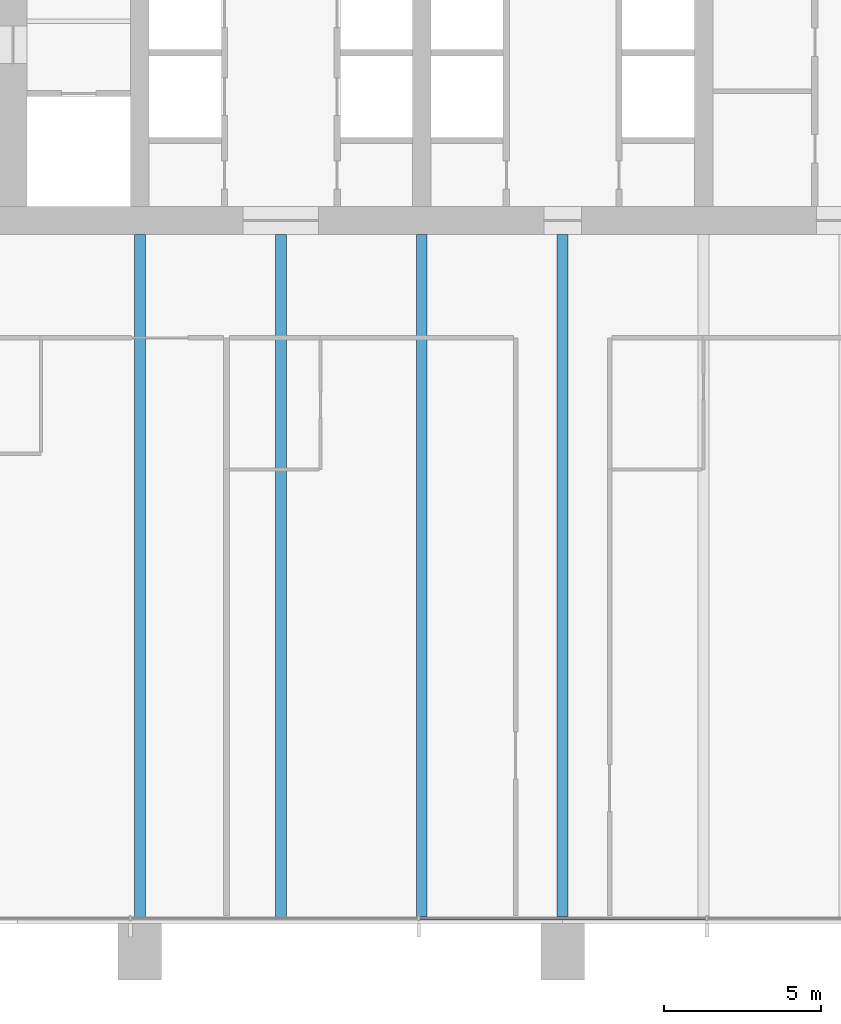
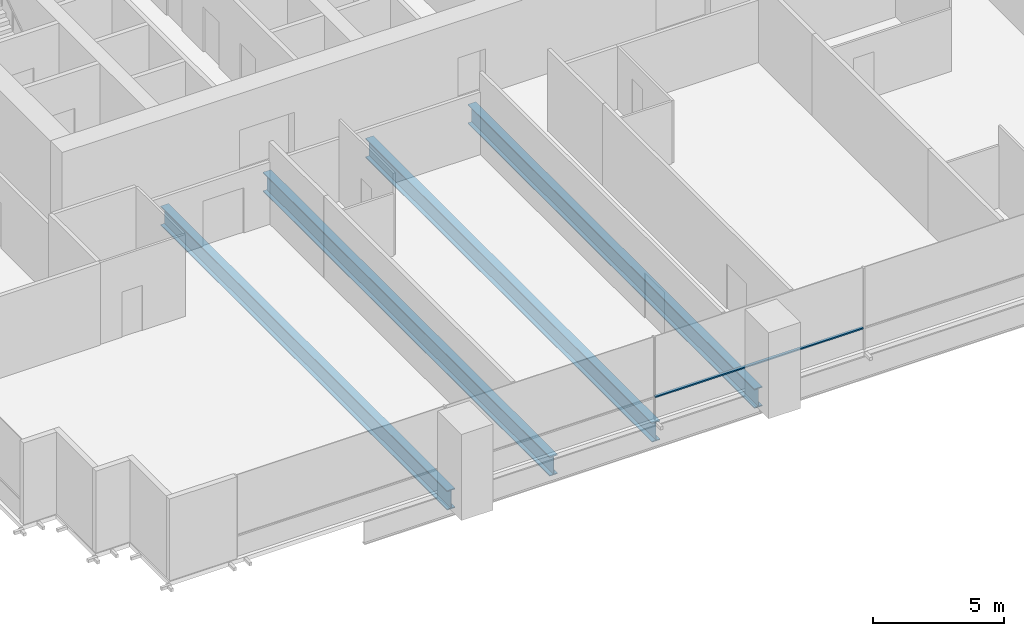
# One storey, part 3 of 14: 4 beams, 1 member, 1 element without a shape of its own.
"""IFC4 building model written with IfcOpenShell, lengths in metres."""

import ifcopenshell
import ifcopenshell.guid

model = None  # the IFC model being written
_history = None  # IfcOwnerHistory: only IFC2X3 demands one
_inside = {}  # id of a spatial element -> (the spatial element, [elements in it])
_under = {}  # id of a project, library or spatial element -> (it, [spatial elements below it])
_declared = {}  # id of a project -> (the project, [libraries it declares])
_typed = {}  # id of a type object -> (the type object, [elements of that type])
_made_of = {}  # id of a material, layer set ... -> (it, [elements and type objects made of it])


def new_model(schema):
    """Start an empty IFC model of exactly this schema.

    Asked for "IFC4X3", IfcOpenShell would pick the latest addendum, in which some entities
    have other attributes; the version numbers below select the first issue.
    IFC2X3 requires an IfcOwnerHistory on every rooted entity: one is made here for all.
    """
    global model, _history
    if schema == "IFC4X3":
        model = ifcopenshell.file(schema_version=(4, 3, 0, 0))
    else:
        model = ifcopenshell.file(schema=schema)
    _inside.clear()
    _under.clear()
    _declared.clear()
    _typed.clear()
    _made_of.clear()
    _history = None
    if model.schema == "IFC2X3":
        org = make("IfcOrganization", Name="unknown")
        user = make(
            "IfcPersonAndOrganization",
            ThePerson=make("IfcPerson", FamilyName="unknown"),
            TheOrganization=org,
        )
        app = make(
            "IfcApplication",
            ApplicationDeveloper=org,
            Version="unknown",
            ApplicationFullName="unknown",
            ApplicationIdentifier="unknown",
        )
        _history = make(
            "IfcOwnerHistory",
            OwningUser=user,
            OwningApplication=app,
            ChangeAction="ADDED",
            CreationDate=0,
        )
    return model


def make(cls, **values):
    """One entity of the class cls with the attributes given. An attribute that is None is left unset."""
    return model.create_entity(
        cls, **{name: value for name, value in values.items() if value is not None}
    )


def rooted(cls, **values):
    """An entity with a GlobalId (a new one), such as an element, a storey or a relation."""
    return make(cls, GlobalId=ifcopenshell.guid.new(), OwnerHistory=_history, **values)


def si_unit(unit_type, name, prefix=None):
    """IfcSIUnit, for example si_unit("LENGTHUNIT", "METRE", prefix="MILLI")."""
    return make("IfcSIUnit", UnitType=unit_type, Prefix=prefix, Name=name)


def assignment(units):
    """IfcUnitAssignment: the units of a project."""
    return None if units is None else make("IfcUnitAssignment", Units=units)


def point(xyz):
    """IfcCartesianPoint."""
    return None if xyz is None else make("IfcCartesianPoint", Coordinates=xyz)


def direction(xyz):
    """IfcDirection."""
    return None if xyz is None else make("IfcDirection", DirectionRatios=xyz)


def frame(location, z_axis=None, x_axis=None):
    """IfcAxis2Placement3D, a coordinate frame: its origin and axes. An axis left out is left unset."""
    return make(
        "IfcAxis2Placement3D",
        Location=point(location),
        Axis=direction(z_axis),
        RefDirection=direction(x_axis),
    )


def frame_2d(location, x_axis=None):
    """IfcAxis2Placement2D, a coordinate frame in the plane: its origin and x axis."""
    return make(
        "IfcAxis2Placement2D", Location=point(location), RefDirection=direction(x_axis)
    )


def origin():
    """The frame at (0, 0, 0) with its axes left unset."""
    return frame((0.0, 0.0, 0.0))


def origin_2d():
    """The frame at (0, 0) in the plane with its x axis left unset."""
    return frame_2d((0.0, 0.0))


def place(relative_to, where):
    """IfcLocalPlacement: puts the frame where relative to a parent placement (None: the world)."""
    return make(
        "IfcLocalPlacement", PlacementRelTo=relative_to, RelativePlacement=where
    )


def context(
    kind, dimensions, precision=None, world=None, true_north=None, identifier=None
):
    """IfcGeometricRepresentationContext, for example the 3D "Model" context."""
    return make(
        "IfcGeometricRepresentationContext",
        ContextIdentifier=identifier,
        ContextType=kind,
        CoordinateSpaceDimension=dimensions,
        Precision=precision,
        WorldCoordinateSystem=world,
        TrueNorth=true_north,
    )


def subcontext(parent, identifier, kind, view, scale=None):
    """IfcGeometricRepresentationSubContext, for example "Body" below "Model"."""
    return make(
        "IfcGeometricRepresentationSubContext",
        ContextIdentifier=identifier,
        ContextType=kind,
        ParentContext=parent,
        TargetScale=scale,
        TargetView=view,
    )


def project(units=None, contexts=None):
    """IfcProject with its units and contexts."""
    return rooted(
        "IfcProject",
        Name="project",
        RepresentationContexts=contexts,
        UnitsInContext=assignment(units),
    )


def spatial(cls, under=None, at=None, **own):
    """A site, building, storey or space (cls), placed at a placement, below another one or the project."""
    s = rooted(cls, ObjectPlacement=at, **own)
    if under is not None:
        _under.setdefault(under.id(), (under, []))[1].append(s)
    return s


def profile(cls, at=None, kind="AREA", **sizes):
    """A parametric profile (cls). Its sizes go by their IFC names, for example OverallWidth=200.0."""
    return make(cls, ProfileType=kind, Position=at, **sizes)


def rectangle(**sizes):
    """IfcRectangleProfileDef."""
    return profile("IfcRectangleProfileDef", **sizes)


def i_section(**sizes):
    """IfcIShapeProfileDef."""
    return profile("IfcIShapeProfileDef", **sizes)


def extrude(swept, where, along, depth):
    """IfcExtrudedAreaSolid: the profile swept, set in the frame where, extruded along a direction by depth."""
    return make(
        "IfcExtrudedAreaSolid",
        SweptArea=swept,
        Position=where,
        ExtrudedDirection=direction(along),
        Depth=depth,
    )


def shape(context_of_items, identifier, shape_type, items):
    """IfcShapeRepresentation: the items that make up one representation, for example the "Body"."""
    return make(
        "IfcShapeRepresentation",
        ContextOfItems=context_of_items,
        RepresentationIdentifier=identifier,
        RepresentationType=shape_type,
        Items=items,
    )


def material(Name=None, Category=None):
    """IfcMaterial."""
    return make("IfcMaterial", Name=Name, Category=Category)


def material_profile(
    of_material, cross_section, Name=None, Category=None, Priority=None
):
    """IfcMaterialProfile: a cross section and its material."""
    return make(
        "IfcMaterialProfile",
        Name=Name,
        Material=of_material,
        Profile=cross_section,
        Priority=Priority,
        Category=Category,
    )


def profile_set(profiles, Name=None, composite=None):
    """IfcMaterialProfileSet."""
    return make(
        "IfcMaterialProfileSet",
        Name=Name,
        MaterialProfiles=profiles,
        CompositeProfile=composite,
    )


def made_of(thing, what):
    """Note that an element or type object is made of a material, layer set ...; save() writes the relation."""
    if what is not None:
        _made_of.setdefault(what.id(), (what, []))[1].append(thing)
    return thing


def type_object(cls, material=None, **own):
    """A type object (cls), such as IfcWallType, which elements share."""
    return made_of(rooted(cls, **own), material)


def element(
    cls,
    number,
    at=None,
    inside=None,
    cuts=None,
    type_object=None,
    material=None,
    context=None,
    identifier="Body",
    shape_type=None,
    held_by="IfcProductDefinitionShape",
    body=None,
    shapes=None,
    **own,
):
    """One element of the class cls, such as IfcWall. Its Tag is "e" and its number.

    at: its placement. inside: the storey or other place that contains it. cuts: it is an
    opening in that element (IfcRelVoidsElement). A single representation is given by context,
    identifier, shape_type and body (its items); several are given by shapes. held_by: the class
    of the entity that holds the representations. save() writes the other relations.
    """
    e = rooted(cls, Tag="e%d" % number, ObjectPlacement=at, **own)
    if body is not None:
        shapes = [shape(context, identifier, shape_type, body)]
    if shapes is not None:
        e.Representation = make(held_by, Representations=shapes)
    if inside is not None:
        _inside.setdefault(inside.id(), (inside, []))[1].append(e)
    if cuts is not None:
        rooted(
            "IfcRelVoidsElement", RelatingBuildingElement=cuts, RelatedOpeningElement=e
        )
    if type_object is not None:
        _typed.setdefault(type_object.id(), (type_object, []))[1].append(e)
    return made_of(e, material)


def aggregate(whole, parts):
    """IfcRelAggregates: a whole, such as a stair, and the parts it consists of."""
    return rooted("IfcRelAggregates", RelatingObject=whole, RelatedObjects=parts)


def save(model, path):
    """Write the relations noted so far, then the file.

    IfcRelAggregates (storeys below a building ...), IfcRelContainedInSpatialStructure (elements
    in a storey), IfcRelDefinesByType, IfcRelAssociatesMaterial and IfcRelDeclares: one each for
    every whole, place, type object, material and project.
    """
    for whole, parts in _under.values():
        aggregate(whole, parts)
    for where, things in _inside.values():
        rooted(
            "IfcRelContainedInSpatialStructure",
            RelatedElements=things,
            RelatingStructure=where,
        )
    for kind, things in _typed.values():
        rooted("IfcRelDefinesByType", RelatedObjects=things, RelatingType=kind)
    for what, things in _made_of.values():
        rooted("IfcRelAssociatesMaterial", RelatedObjects=things, RelatingMaterial=what)
    for by, libraries in _declared.values():
        rooted("IfcRelDeclares", RelatingContext=by, RelatedDefinitions=libraries)
    model.write(path)


model = new_model("IFC4")

# Units and contexts
model_context = context("Model", 3, precision=1e-05, world=origin(), true_north=direction((0.0, 1.0)))
body_context = subcontext(model_context, "Body", "Model", "MODEL_VIEW")
ifc_project = project(units=[si_unit("LENGTHUNIT", "METRE"), si_unit("AREAUNIT", "SQUARE_METRE"), si_unit("VOLUMEUNIT", "CUBIC_METRE"), si_unit("PLANEANGLEUNIT", "RADIAN"), si_unit("MASSUNIT", "GRAM", prefix="KILO")], contexts=[model_context])

# Site, building, storey
site_placement = place(None, origin())
site = spatial("IfcSite", under=ifc_project, at=site_placement, CompositionType="ELEMENT")
building_placement = place(site_placement, origin())
building = spatial("IfcBuilding", under=site, at=building_placement, Name="Rattan Terrace Tower", CompositionType="ELEMENT")
storey_placement = place(building_placement, frame((0.0, 0.0, 154.10009765625)))
storey = spatial("IfcBuildingStorey", under=building, at=storey_placement, Name="L35", CompositionType="ELEMENT", Elevation=154.10009765625)

# Curtain wall, member
ifc_material_1 = material(Name="Aluminium and glass", Category="aluminium")
curtain_wall_type = type_object("IfcCurtainWallType", Name="Facade Unitised Curtain Wall", PredefinedType="NOTDEFINED", material=ifc_material_1)
curtain_wall_placement = place(storey_placement, origin())
curtain_wall = element("IfcCurtainWall", 1, at=curtain_wall_placement, inside=storey, type_object=curtain_wall_type, Name="Curtain wall L35-4", PredefinedType="NOTDEFINED")
ifc_material_2 = material(Name="Aluminium", Category="aluminium")
ifc_material_profile_1 = material_profile(ifc_material_2, rectangle(XDim=0.1201171875, YDim=0.06005859375, at=origin_2d()), Name="Aluminium 120x60")
ifc_profile_set_1 = profile_set([ifc_material_profile_1], Name="Aluminium")
member_type = type_object("IfcMemberType", Name="Facade CW Transom 120x60", PredefinedType="USERDEFINED", material=ifc_profile_set_1)
member_placement = place(storey_placement, frame((-4.568115234375, -29.330078125, 1.0), z_axis=(1.0, 0.0, 0.0), x_axis=(0.0, 1.0, 0.0)))
member = element("IfcMember", 2, at=member_placement, type_object=member_type, Name="Transom cwl-L35-004.3", ObjectType="TRANSOM", PredefinedType="USERDEFINED", context=body_context, shape_type="SweptSolid", body=[
    extrude(rectangle(XDim=0.1201171875, YDim=0.06005859375, at=origin_2d()), origin(), (0.0, 0.0, 1.0), 9.14111328125),
])
aggregate(curtain_wall, [member])

# Beams
ifc_material_3 = material(Name="Steel S460", Category="steel")
ifc_material_profile_2 = material_profile(ifc_material_3, i_section(OverallWidth=0.35009765625, OverallDepth=0.89990234375, WebThickness=0.013916015625, FlangeThickness=0.0400390625, at=origin_2d()), Name="PG 900x350-14-40")
ifc_profile_set_2 = profile_set([ifc_material_profile_2], Name="Steel S460")
beam_type = type_object("IfcBeamType", Name="Frame floor beam PG 900x350-14-40", PredefinedType="JOIST", material=ifc_profile_set_2)
for number, where, z_axis, x_axis, name in (
    (3, (-13.5, -29.320068359375, -0.650146484375), (0.0, 1.0, 0.0), (-1.0, 0.0, 0.0), "bm-L35-003"),
    (4, (-9.0, -29.320068359375, -0.650146484375), (0.0, 1.0, 0.0), (-1.0, 0.0, 0.0), "bm-L35-004"),
    (5, (-4.5, -29.320068359375, -0.650146484375), (0.0, 1.0, 0.0), (-1.0, 0.0, 0.0), "bm-L35-005"),
    (6, (0.0, -29.320068359375, -0.650146484375), (0.0, 1.0, 0.0), (-1.0, 0.0, 0.0), "bm-L35-006"),
):
    element("IfcBeam", number, at=place(storey_placement, frame(where, z_axis=z_axis, x_axis=x_axis)), inside=storey, type_object=beam_type, Name=name, PredefinedType="JOIST", context=body_context, shape_type="SweptSolid", body=[
        extrude(i_section(OverallWidth=0.35009765625, OverallDepth=0.89990234375, WebThickness=0.013916015625, FlangeThickness=0.0400390625, at=origin_2d()), origin(), (0.0, 0.0, 1.0), 21.820068359375),
    ])

save(model, "model.ifc")
